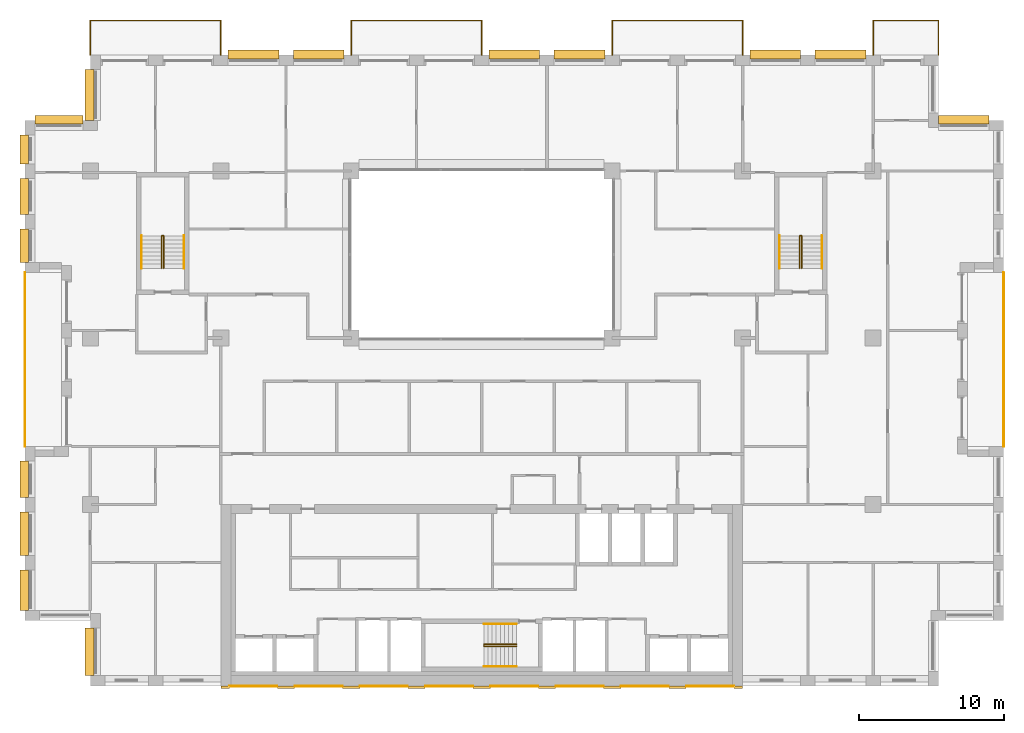
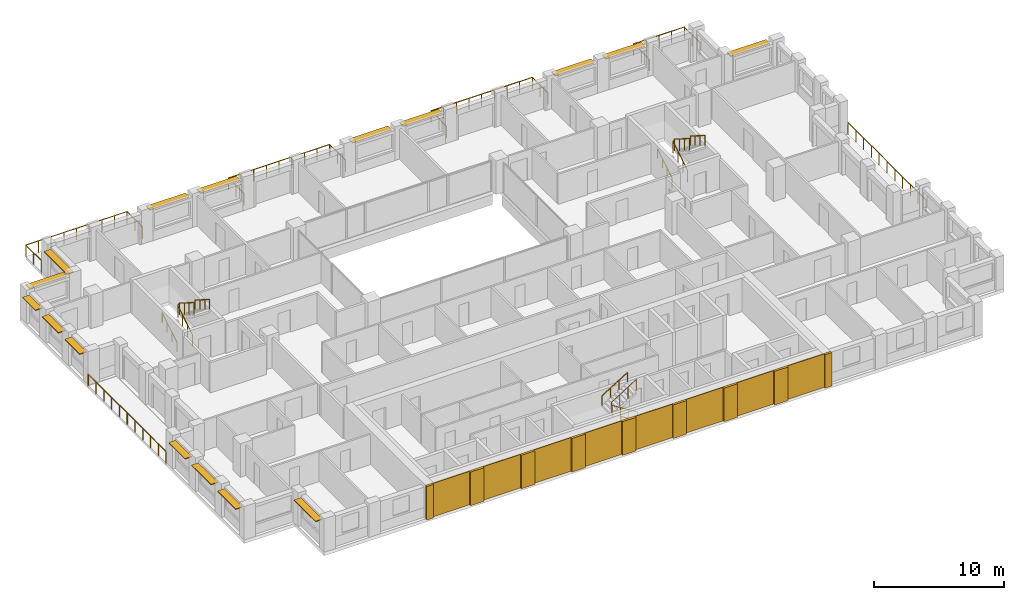
# One storey, part 15 of 15: 17 coverings, 16 shading devices, 15 railings.
"""IFC4 building model written with IfcOpenShell, lengths in metres."""

from ifc_helpers import new_model, si_unit, direction, frame, origin, origin_2d, place, context, subcontext, project, spatial, rectangle, circle, extrude, material, layer, layer_set, type_object, element, save


model = new_model("IFC4")

# Units and contexts
model_context = context("Model", 3, precision=1e-05, world=origin(), true_north=direction((0.0, 1.0)))
body_context = subcontext(model_context, "Body", "Model", "MODEL_VIEW")
ifc_project = project(units=[si_unit("LENGTHUNIT", "METRE"), si_unit("AREAUNIT", "SQUARE_METRE"), si_unit("VOLUMEUNIT", "CUBIC_METRE"), si_unit("PLANEANGLEUNIT", "RADIAN"), si_unit("MASSUNIT", "GRAM", prefix="KILO")], contexts=[model_context])

# Site, building, storey
site_placement = place(None, origin())
site = spatial("IfcSite", under=ifc_project, at=site_placement, CompositionType="ELEMENT")
building_placement = place(site_placement, origin())
building = spatial("IfcBuilding", under=site, at=building_placement, Name="Brigalow Station Residences", CompositionType="ELEMENT")
storey_placement = place(building_placement, frame((0.0, 0.0, 153.89990234375)))
storey = spatial("IfcBuildingStorey", under=building, at=storey_placement, Name="L44", CompositionType="ELEMENT", Elevation=153.89990234375)

# Railings
ifc_material_1 = material(Name="Stainless steel balustrade with laminated glass infill", Category="steel")
railing_type_1 = type_object("IfcRailingType", Name="BALCONY GUARD 1100", PredefinedType="GUARDRAIL", material=ifc_material_1)
railing_1_placement = place(storey_placement, frame((72.0, 16.5, -0.039794921875)))
element("IfcRailing", 1, at=railing_1_placement, inside=storey, type_object=railing_type_1, Name="L44/balcony-guard/1", PredefinedType="GUARDRAIL", context=body_context, shape_type="SweptSolid", body=[
    extrude(circle(Radius=0.02392578125, at=origin_2d()), frame((0.0, 0.0, 1.076171875), z_axis=(0.0, 1.0, 0.0), x_axis=(-1.0, 0.0, 0.0)), (0.0, 0.0, 1.0), 12.0),
    extrude(circle(Radius=0.02099609375, at=origin_2d()), origin(), (0.0, 0.0, 1.0), 1.052001953125),
    extrude(circle(Radius=0.02099609375, at=origin_2d()), frame((0.0, 1.199951171875, 0.0)), (0.0, 0.0, 1.0), 1.052001953125),
    extrude(circle(Radius=0.02099609375, at=origin_2d()), frame((0.0, 2.39990234375, 0.0)), (0.0, 0.0, 1.0), 1.052001953125),
    extrude(circle(Radius=0.02099609375, at=origin_2d()), frame((0.0, 3.60009765625, 0.0)), (0.0, 0.0, 1.0), 1.052001953125),
    extrude(circle(Radius=0.02099609375, at=origin_2d()), frame((0.0, 4.800048828125, 0.0)), (0.0, 0.0, 1.0), 1.052001953125),
    extrude(circle(Radius=0.02099609375, at=origin_2d()), frame((0.0, 6.0, 0.0)), (0.0, 0.0, 1.0), 1.052001953125),
    extrude(circle(Radius=0.02099609375, at=origin_2d()), frame((0.0, 7.199951171875, 0.0)), (0.0, 0.0, 1.0), 1.052001953125),
    extrude(circle(Radius=0.02099609375, at=origin_2d()), frame((0.0, 8.39990234375, 0.0)), (0.0, 0.0, 1.0), 1.052001953125),
    extrude(circle(Radius=0.02099609375, at=origin_2d()), frame((0.0, 9.60009765625, 0.0)), (0.0, 0.0, 1.0), 1.052001953125),
    extrude(circle(Radius=0.02099609375, at=origin_2d()), frame((0.0, 10.800048828125, 0.0)), (0.0, 0.0, 1.0), 1.052001953125),
    extrude(circle(Radius=0.02099609375, at=origin_2d()), frame((0.0, 12.0, 0.0)), (0.0, 0.0, 1.0), 1.052001953125),
])
railing_2_placement = place(storey_placement, frame((67.5, 43.5, -0.039794921875)))
element("IfcRailing", 2, at=railing_2_placement, inside=storey, type_object=railing_type_1, Name="L44/balcony-guard/2", PredefinedType="GUARDRAIL", context=body_context, shape_type="SweptSolid", body=[
    extrude(circle(Radius=0.02392578125, at=origin_2d()), frame((0.0, 0.0, 1.076171875), z_axis=(0.0, 1.0, 0.0), x_axis=(-1.0, 0.0, 0.0)), (0.0, 0.0, 1.0), 2.39990234375),
    extrude(circle(Radius=0.02392578125, at=origin_2d()), frame((0.0, 2.39990234375, 1.076171875), z_axis=(-1.0, 0.0, 0.0), x_axis=(0.0, -1.0, 0.0)), (0.0, 0.0, 1.0), 4.5),
    extrude(circle(Radius=0.02392578125, at=origin_2d()), frame((-4.5, 2.39990234375, 1.076171875), z_axis=(0.0, -1.0, 0.0), x_axis=(1.0, 0.0, 0.0)), (0.0, 0.0, 1.0), 2.39990234375),
    extrude(circle(Radius=0.02099609375, at=origin_2d()), origin(), (0.0, 0.0, 1.0), 1.052001953125),
    extrude(circle(Radius=0.02099609375, at=origin_2d()), frame((0.0, 1.199951171875, 0.0)), (0.0, 0.0, 1.0), 1.052001953125),
    extrude(circle(Radius=0.02099609375, at=origin_2d()), frame((0.0, 2.39990234375, 0.0)), (0.0, 0.0, 1.0), 1.052001953125),
    extrude(circle(Radius=0.02099609375, at=origin_2d()), frame((-1.125, 2.39990234375, 0.0)), (0.0, 0.0, 1.0), 1.052001953125),
    extrude(circle(Radius=0.02099609375, at=origin_2d()), frame((-2.25, 2.39990234375, 0.0)), (0.0, 0.0, 1.0), 1.052001953125),
    extrude(circle(Radius=0.02099609375, at=origin_2d()), frame((-3.375, 2.39990234375, 0.0)), (0.0, 0.0, 1.0), 1.052001953125),
    extrude(circle(Radius=0.02099609375, at=origin_2d()), frame((-4.5, 2.39990234375, 0.0)), (0.0, 0.0, 1.0), 1.052001953125),
    extrude(circle(Radius=0.02099609375, at=origin_2d()), frame((-4.5, 1.199951171875, 0.0)), (0.0, 0.0, 1.0), 1.052001953125),
    extrude(circle(Radius=0.02099609375, at=origin_2d()), frame((-4.5, 0.0, 0.0)), (0.0, 0.0, 1.0), 1.052001953125),
])
railing_3_placement = place(storey_placement, frame((54.0, 43.5, -0.039794921875)))
element("IfcRailing", 3, at=railing_3_placement, inside=storey, type_object=railing_type_1, Name="L44/balcony-guard/3", PredefinedType="GUARDRAIL", context=body_context, shape_type="SweptSolid", body=[
    extrude(circle(Radius=0.02392578125, at=origin_2d()), frame((0.0, 0.0, 1.076171875), z_axis=(0.0, 1.0, 0.0), x_axis=(-1.0, 0.0, 0.0)), (0.0, 0.0, 1.0), 2.39990234375),
    extrude(circle(Radius=0.02392578125, at=origin_2d()), frame((0.0, 2.39990234375, 1.076171875), z_axis=(-1.0, 0.0, 0.0), x_axis=(0.0, -1.0, 0.0)), (0.0, 0.0, 1.0), 9.0),
    extrude(circle(Radius=0.02392578125, at=origin_2d()), frame((-9.0, 2.39990234375, 1.076171875), z_axis=(0.0, -1.0, 0.0), x_axis=(1.0, 0.0, 0.0)), (0.0, 0.0, 1.0), 2.39990234375),
    extrude(circle(Radius=0.02099609375, at=origin_2d()), origin(), (0.0, 0.0, 1.0), 1.052001953125),
    extrude(circle(Radius=0.02099609375, at=origin_2d()), frame((0.0, 1.199951171875, 0.0)), (0.0, 0.0, 1.0), 1.052001953125),
    extrude(circle(Radius=0.02099609375, at=origin_2d()), frame((0.0, 2.39990234375, 0.0)), (0.0, 0.0, 1.0), 1.052001953125),
    extrude(circle(Radius=0.02099609375, at=origin_2d()), frame((-1.125, 2.39990234375, 0.0)), (0.0, 0.0, 1.0), 1.052001953125),
    extrude(circle(Radius=0.02099609375, at=origin_2d()), frame((-2.25, 2.39990234375, 0.0)), (0.0, 0.0, 1.0), 1.052001953125),
    extrude(circle(Radius=0.02099609375, at=origin_2d()), frame((-3.375, 2.39990234375, 0.0)), (0.0, 0.0, 1.0), 1.052001953125),
    extrude(circle(Radius=0.02099609375, at=origin_2d()), frame((-4.5, 2.39990234375, 0.0)), (0.0, 0.0, 1.0), 1.052001953125),
    extrude(circle(Radius=0.02099609375, at=origin_2d()), frame((-5.625, 2.39990234375, 0.0)), (0.0, 0.0, 1.0), 1.052001953125),
    extrude(circle(Radius=0.02099609375, at=origin_2d()), frame((-6.75, 2.39990234375, 0.0)), (0.0, 0.0, 1.0), 1.052001953125),
    extrude(circle(Radius=0.02099609375, at=origin_2d()), frame((-7.875, 2.39990234375, 0.0)), (0.0, 0.0, 1.0), 1.052001953125),
    extrude(circle(Radius=0.02099609375, at=origin_2d()), frame((-9.0, 2.39990234375, 0.0)), (0.0, 0.0, 1.0), 1.052001953125),
    extrude(circle(Radius=0.02099609375, at=origin_2d()), frame((-9.0, 1.199951171875, 0.0)), (0.0, 0.0, 1.0), 1.052001953125),
    extrude(circle(Radius=0.02099609375, at=origin_2d()), frame((-9.0, 0.0, 0.0)), (0.0, 0.0, 1.0), 1.052001953125),
])
railing_4_placement = place(storey_placement, frame((36.0, 43.5, -0.039794921875)))
element("IfcRailing", 4, at=railing_4_placement, inside=storey, type_object=railing_type_1, Name="L44/balcony-guard/4", PredefinedType="GUARDRAIL", context=body_context, shape_type="SweptSolid", body=[
    extrude(circle(Radius=0.02392578125, at=origin_2d()), frame((0.0, 0.0, 1.076171875), z_axis=(0.0, 1.0, 0.0), x_axis=(-1.0, 0.0, 0.0)), (0.0, 0.0, 1.0), 2.39990234375),
    extrude(circle(Radius=0.02392578125, at=origin_2d()), frame((0.0, 2.39990234375, 1.076171875), z_axis=(-1.0, 0.0, 0.0), x_axis=(0.0, -1.0, 0.0)), (0.0, 0.0, 1.0), 9.0),
    extrude(circle(Radius=0.02392578125, at=origin_2d()), frame((-9.0, 2.39990234375, 1.076171875), z_axis=(0.0, -1.0, 0.0), x_axis=(1.0, 0.0, 0.0)), (0.0, 0.0, 1.0), 2.39990234375),
    extrude(circle(Radius=0.02099609375, at=origin_2d()), origin(), (0.0, 0.0, 1.0), 1.052001953125),
    extrude(circle(Radius=0.02099609375, at=origin_2d()), frame((0.0, 1.199951171875, 0.0)), (0.0, 0.0, 1.0), 1.052001953125),
    extrude(circle(Radius=0.02099609375, at=origin_2d()), frame((0.0, 2.39990234375, 0.0)), (0.0, 0.0, 1.0), 1.052001953125),
    extrude(circle(Radius=0.02099609375, at=origin_2d()), frame((-1.125, 2.39990234375, 0.0)), (0.0, 0.0, 1.0), 1.052001953125),
    extrude(circle(Radius=0.02099609375, at=origin_2d()), frame((-2.25, 2.39990234375, 0.0)), (0.0, 0.0, 1.0), 1.052001953125),
    extrude(circle(Radius=0.02099609375, at=origin_2d()), frame((-3.375, 2.39990234375, 0.0)), (0.0, 0.0, 1.0), 1.052001953125),
    extrude(circle(Radius=0.02099609375, at=origin_2d()), frame((-4.5, 2.39990234375, 0.0)), (0.0, 0.0, 1.0), 1.052001953125),
    extrude(circle(Radius=0.02099609375, at=origin_2d()), frame((-5.625, 2.39990234375, 0.0)), (0.0, 0.0, 1.0), 1.052001953125),
    extrude(circle(Radius=0.02099609375, at=origin_2d()), frame((-6.75, 2.39990234375, 0.0)), (0.0, 0.0, 1.0), 1.052001953125),
    extrude(circle(Radius=0.02099609375, at=origin_2d()), frame((-7.875, 2.39990234375, 0.0)), (0.0, 0.0, 1.0), 1.052001953125),
    extrude(circle(Radius=0.02099609375, at=origin_2d()), frame((-9.0, 2.39990234375, 0.0)), (0.0, 0.0, 1.0), 1.052001953125),
    extrude(circle(Radius=0.02099609375, at=origin_2d()), frame((-9.0, 1.199951171875, 0.0)), (0.0, 0.0, 1.0), 1.052001953125),
    extrude(circle(Radius=0.02099609375, at=origin_2d()), frame((-9.0, 0.0, 0.0)), (0.0, 0.0, 1.0), 1.052001953125),
])
railing_5_placement = place(storey_placement, frame((18.0, 43.5, -0.039794921875)))
element("IfcRailing", 5, at=railing_5_placement, inside=storey, type_object=railing_type_1, Name="L44/balcony-guard/5", PredefinedType="GUARDRAIL", context=body_context, shape_type="SweptSolid", body=[
    extrude(circle(Radius=0.02392578125, at=origin_2d()), frame((0.0, 0.0, 1.076171875), z_axis=(0.0, 1.0, 0.0), x_axis=(-1.0, 0.0, 0.0)), (0.0, 0.0, 1.0), 2.39990234375),
    extrude(circle(Radius=0.02392578125, at=origin_2d()), frame((0.0, 2.39990234375, 1.076171875), z_axis=(-1.0, 0.0, 0.0), x_axis=(0.0, -1.0, 0.0)), (0.0, 0.0, 1.0), 9.0),
    extrude(circle(Radius=0.02392578125, at=origin_2d()), frame((-9.0, 2.39990234375, 1.076171875), z_axis=(0.0, -1.0, 0.0), x_axis=(1.0, 0.0, 0.0)), (0.0, 0.0, 1.0), 2.39990234375),
    extrude(circle(Radius=0.02099609375, at=origin_2d()), origin(), (0.0, 0.0, 1.0), 1.052001953125),
    extrude(circle(Radius=0.02099609375, at=origin_2d()), frame((0.0, 1.199951171875, 0.0)), (0.0, 0.0, 1.0), 1.052001953125),
    extrude(circle(Radius=0.02099609375, at=origin_2d()), frame((0.0, 2.39990234375, 0.0)), (0.0, 0.0, 1.0), 1.052001953125),
    extrude(circle(Radius=0.02099609375, at=origin_2d()), frame((-1.125, 2.39990234375, 0.0)), (0.0, 0.0, 1.0), 1.052001953125),
    extrude(circle(Radius=0.02099609375, at=origin_2d()), frame((-2.25, 2.39990234375, 0.0)), (0.0, 0.0, 1.0), 1.052001953125),
    extrude(circle(Radius=0.02099609375, at=origin_2d()), frame((-3.375, 2.39990234375, 0.0)), (0.0, 0.0, 1.0), 1.052001953125),
    extrude(circle(Radius=0.02099609375, at=origin_2d()), frame((-4.5, 2.39990234375, 0.0)), (0.0, 0.0, 1.0), 1.052001953125),
    extrude(circle(Radius=0.02099609375, at=origin_2d()), frame((-5.625, 2.39990234375, 0.0)), (0.0, 0.0, 1.0), 1.052001953125),
    extrude(circle(Radius=0.02099609375, at=origin_2d()), frame((-6.75, 2.39990234375, 0.0)), (0.0, 0.0, 1.0), 1.052001953125),
    extrude(circle(Radius=0.02099609375, at=origin_2d()), frame((-7.875, 2.39990234375, 0.0)), (0.0, 0.0, 1.0), 1.052001953125),
    extrude(circle(Radius=0.02099609375, at=origin_2d()), frame((-9.0, 2.39990234375, 0.0)), (0.0, 0.0, 1.0), 1.052001953125),
    extrude(circle(Radius=0.02099609375, at=origin_2d()), frame((-9.0, 1.199951171875, 0.0)), (0.0, 0.0, 1.0), 1.052001953125),
    extrude(circle(Radius=0.02099609375, at=origin_2d()), frame((-9.0, 0.0, 0.0)), (0.0, 0.0, 1.0), 1.052001953125),
])
railing_6_placement = place(storey_placement, frame((4.5, 28.5, -0.039794921875)))
element("IfcRailing", 6, at=railing_6_placement, inside=storey, type_object=railing_type_1, Name="L44/balcony-guard/6", PredefinedType="GUARDRAIL", context=body_context, shape_type="SweptSolid", body=[
    extrude(circle(Radius=0.02392578125, at=origin_2d()), frame((0.0, 0.0, 1.076171875), z_axis=(0.0, -1.0, 0.0), x_axis=(1.0, 0.0, 0.0)), (0.0, 0.0, 1.0), 12.0),
    extrude(circle(Radius=0.02099609375, at=origin_2d()), origin(), (0.0, 0.0, 1.0), 1.052001953125),
    extrude(circle(Radius=0.02099609375, at=origin_2d()), frame((0.0, -1.199951171875, 0.0)), (0.0, 0.0, 1.0), 1.052001953125),
    extrude(circle(Radius=0.02099609375, at=origin_2d()), frame((0.0, -2.39990234375, 0.0)), (0.0, 0.0, 1.0), 1.052001953125),
    extrude(circle(Radius=0.02099609375, at=origin_2d()), frame((0.0, -3.60009765625, 0.0)), (0.0, 0.0, 1.0), 1.052001953125),
    extrude(circle(Radius=0.02099609375, at=origin_2d()), frame((0.0, -4.800048828125, 0.0)), (0.0, 0.0, 1.0), 1.052001953125),
    extrude(circle(Radius=0.02099609375, at=origin_2d()), frame((0.0, -6.0, 0.0)), (0.0, 0.0, 1.0), 1.052001953125),
    extrude(circle(Radius=0.02099609375, at=origin_2d()), frame((0.0, -7.199951171875, 0.0)), (0.0, 0.0, 1.0), 1.052001953125),
    extrude(circle(Radius=0.02099609375, at=origin_2d()), frame((0.0, -8.39990234375, 0.0)), (0.0, 0.0, 1.0), 1.052001953125),
    extrude(circle(Radius=0.02099609375, at=origin_2d()), frame((0.0, -9.60009765625, 0.0)), (0.0, 0.0, 1.0), 1.052001953125),
    extrude(circle(Radius=0.02099609375, at=origin_2d()), frame((0.0, -10.800048828125, 0.0)), (0.0, 0.0, 1.0), 1.052001953125),
    extrude(circle(Radius=0.02099609375, at=origin_2d()), frame((0.0, -12.0, 0.0)), (0.0, 0.0, 1.0), 1.052001953125),
])

# Coverings
ifc_material_2 = material(Name="Clay brick masonry", Category="masonry")
ifc_layer_1 = layer(ifc_material_2, 0.06005859375)
ifc_layer_set_1 = layer_set([ifc_layer_1], Name="BRICK PANEL FACING 60")
covering_type_1 = type_object("IfcCoveringType", Name="BRICK PANEL FACING 60", PredefinedType="CLADDING", material=ifc_layer_set_1)
for number, where, z_axis, x_axis, name in (
    (7, (20.25, -0.030029296875, 0.000244140625), (0.0, 0.0, 1.0), (1.0, 0.0, 0.0), "L44/rear-facing/panel-1"),
    (8, (24.75, -0.030029296875, 0.000244140625), (0.0, 0.0, 1.0), (1.0, 0.0, 0.0), "L44/rear-facing/panel-2"),
    (9, (29.25, -0.030029296875, 0.000244140625), (0.0, 0.0, 1.0), (1.0, 0.0, 0.0), "L44/rear-facing/panel-3"),
    (10, (33.75, -0.030029296875, 0.000244140625), (0.0, 0.0, 1.0), (1.0, 0.0, 0.0), "L44/rear-facing/panel-4"),
    (11, (38.25, -0.030029296875, 0.000244140625), (0.0, 0.0, 1.0), (1.0, 0.0, 0.0), "L44/rear-facing/panel-5"),
    (12, (42.75, -0.030029296875, 0.000244140625), (0.0, 0.0, 1.0), (1.0, 0.0, 0.0), "L44/rear-facing/panel-6"),
    (13, (47.25, -0.030029296875, 0.000244140625), (0.0, 0.0, 1.0), (1.0, 0.0, 0.0), "L44/rear-facing/panel-7"),
    (14, (51.75, -0.030029296875, 0.000244140625), (0.0, 0.0, 1.0), (1.0, 0.0, 0.0), "L44/rear-facing/panel-8"),
):
    element("IfcCovering", number, at=place(storey_placement, frame(where, z_axis=z_axis, x_axis=x_axis)), inside=storey, type_object=covering_type_1, Name=name, PredefinedType="CLADDING", context=body_context, shape_type="SweptSolid", body=[
        extrude(rectangle(XDim=3.300048828125, YDim=0.06005859375, at=origin_2d()), origin(), (0.0, 0.0, 1.0), 3.14990234375),
    ])
ifc_material_3 = material(Name="Clay brick masonry", Category="masonry")
ifc_layer_2 = layer(ifc_material_3, 0.199951171875)
ifc_layer_set_2 = layer_set([ifc_layer_2], Name="BRICK PIER FACING 200")
covering_type_2 = type_object("IfcCoveringType", Name="BRICK PIER FACING 200", PredefinedType="CLADDING", material=ifc_layer_set_2)
covering_1_placement = place(storey_placement, frame((18.300048828125, -0.10009765625, 0.000244140625), z_axis=(0.0, 0.0, 1.0), x_axis=(1.0, 0.0, 0.0)))
element("IfcCovering", 15, at=covering_1_placement, inside=storey, type_object=covering_type_2, Name="L44/rear-facing/pier-1", PredefinedType="CLADDING", context=body_context, shape_type="SweptSolid", body=[
    extrude(rectangle(XDim=0.60009765625, YDim=0.199951171875, at=origin_2d()), origin(), (0.0, 0.0, 1.0), 3.14990234375),
])
for number, where, z_axis, x_axis, name in (
    (16, (22.5, -0.10009765625, 0.000244140625), (0.0, 0.0, 1.0), (1.0, 0.0, 0.0), "L44/rear-facing/pier-2"),
    (17, (27.0, -0.10009765625, 0.000244140625), (0.0, 0.0, 1.0), (1.0, 0.0, 0.0), "L44/rear-facing/pier-3"),
    (18, (31.5, -0.10009765625, 0.000244140625), (0.0, 0.0, 1.0), (1.0, 0.0, 0.0), "L44/rear-facing/pier-4"),
    (19, (36.0, -0.10009765625, 0.000244140625), (0.0, 0.0, 1.0), (1.0, 0.0, 0.0), "L44/rear-facing/pier-5"),
    (20, (40.5, -0.10009765625, 0.000244140625), (0.0, 0.0, 1.0), (1.0, 0.0, 0.0), "L44/rear-facing/pier-6"),
    (21, (45.0, -0.10009765625, 0.000244140625), (0.0, 0.0, 1.0), (1.0, 0.0, 0.0), "L44/rear-facing/pier-7"),
    (22, (49.5, -0.10009765625, 0.000244140625), (0.0, 0.0, 1.0), (1.0, 0.0, 0.0), "L44/rear-facing/pier-8"),
):
    element("IfcCovering", number, at=place(storey_placement, frame(where, z_axis=z_axis, x_axis=x_axis)), inside=storey, type_object=covering_type_2, Name=name, PredefinedType="CLADDING", context=body_context, shape_type="SweptSolid", body=[
        extrude(rectangle(XDim=1.199951171875, YDim=0.199951171875, at=origin_2d()), origin(), (0.0, 0.0, 1.0), 3.14990234375),
    ])
covering_2_placement = place(storey_placement, frame((53.699951171875, -0.10009765625, 0.000244140625), z_axis=(0.0, 0.0, 1.0), x_axis=(1.0, 0.0, 0.0)))
element("IfcCovering", 23, at=covering_2_placement, inside=storey, type_object=covering_type_2, Name="L44/rear-facing/pier-9", PredefinedType="CLADDING", context=body_context, shape_type="SweptSolid", body=[
    extrude(rectangle(XDim=0.60009765625, YDim=0.199951171875, at=origin_2d()), origin(), (0.0, 0.0, 1.0), 3.14990234375),
])

# Railings
ifc_material_4 = material(Name="Stainless steel balustrade", Category="steel")
railing_type_2 = type_object("IfcRailingType", Name="STAIR GUARD 1100", PredefinedType="GUARDRAIL", material=ifc_material_4)
railing_7_placement = place(storey_placement, frame((38.39990234375, 2.72998046875, 0.175048828125)))
element("IfcRailing", 24, at=railing_7_placement, inside=storey, type_object=railing_type_2, Name="GUARD GR-2", PredefinedType="GUARDRAIL", context=body_context, shape_type="SweptSolid", body=[
    extrude(circle(Radius=0.02392578125, at=origin_2d()), frame((0.0, 0.0, 1.076171875), z_axis=(-0.847972341737, 0.0, 0.530040477369), x_axis=(0.0, -1.0, 0.0)), (0.0, 0.0, 1.0), 2.6416015625),
    extrude(circle(Radius=0.02392578125, at=origin_2d()), frame((-2.239990234375, 0.0, 2.47607421875), z_axis=(0.0, 0.62549206879, 0.780230524833), x_axis=(-1.0, 0.0, 0.0)), (0.0, 0.0, 1.0), 0.22412109375),
    extrude(circle(Radius=0.02392578125, at=origin_2d()), frame((-2.239990234375, 0.14013671875, 2.65087890625), z_axis=(0.847972341737, 0.0, 0.530040477369), x_axis=(0.0, 1.0, 0.0)), (0.0, 0.0, 1.0), 2.6416015625),
    extrude(circle(Radius=0.02099609375, at=origin_2d()), origin(), (0.0, 0.0, 1.0), 1.052001953125),
    extrude(circle(Radius=0.02099609375, at=origin_2d()), frame((-0.74658203125, 0.0, 0.466796875)), (0.0, 0.0, 1.0), 1.052001953125),
    extrude(circle(Radius=0.02099609375, at=origin_2d()), frame((-1.493408203125, 0.0, 0.933349609375)), (0.0, 0.0, 1.0), 1.052001953125),
    extrude(circle(Radius=0.02099609375, at=origin_2d()), frame((-2.239990234375, 0.0, 1.400146484375)), (0.0, 0.0, 1.0), 1.052001953125),
    extrude(circle(Radius=0.02099609375, at=origin_2d()), frame((-2.239990234375, 0.14013671875, 1.574951171875)), (0.0, 0.0, 1.0), 1.052001953125),
    extrude(circle(Radius=0.02099609375, at=origin_2d()), frame((-1.493408203125, 0.14013671875, 2.041748046875)), (0.0, 0.0, 1.0), 1.052001953125),
    extrude(circle(Radius=0.02099609375, at=origin_2d()), frame((-0.74658203125, 0.14013671875, 2.50830078125)), (0.0, 0.0, 1.0), 1.052001953125),
    extrude(circle(Radius=0.02099609375, at=origin_2d()), frame((0.0, 0.14013671875, 2.97509765625)), (0.0, 0.0, 1.0), 1.052001953125),
])
for number, where, name in (
    (25, (13.929931640625, 28.800048828125, 0.175048828125), "GUARD GR-1"),
    (26, (57.929931640625, 28.800048828125, 0.175048828125), "GUARD GR-3"),
):
    element("IfcRailing", number, at=place(storey_placement, frame(where)), inside=storey, type_object=railing_type_2, Name=name, PredefinedType="GUARDRAIL", context=body_context, shape_type="SweptSolid", body=[
        extrude(circle(Radius=0.02392578125, at=origin_2d()), frame((0.0, 0.0, 1.076171875), z_axis=(0.0, 0.847972341737, 0.530040477369), x_axis=(-1.0, 0.0, 0.0)), (0.0, 0.0, 1.0), 2.6416015625),
        extrude(circle(Radius=0.02392578125, at=origin_2d()), frame((0.0, 2.239990234375, 2.47607421875), z_axis=(0.62549206879, 0.0, 0.780230524833), x_axis=(0.0, 1.0, 0.0)), (0.0, 0.0, 1.0), 0.22412109375),
        extrude(circle(Radius=0.02392578125, at=origin_2d()), frame((0.14013671875, 2.239990234375, 2.65087890625), z_axis=(0.0, -0.847972341737, 0.530040477369), x_axis=(1.0, 0.0, 0.0)), (0.0, 0.0, 1.0), 2.6416015625),
        extrude(circle(Radius=0.02099609375, at=origin_2d()), origin(), (0.0, 0.0, 1.0), 1.052001953125),
        extrude(circle(Radius=0.02099609375, at=origin_2d()), frame((0.0, 0.74658203125, 0.466796875)), (0.0, 0.0, 1.0), 1.052001953125),
        extrude(circle(Radius=0.02099609375, at=origin_2d()), frame((0.0, 1.493408203125, 0.933349609375)), (0.0, 0.0, 1.0), 1.052001953125),
        extrude(circle(Radius=0.02099609375, at=origin_2d()), frame((0.0, 2.239990234375, 1.400146484375)), (0.0, 0.0, 1.0), 1.052001953125),
        extrude(circle(Radius=0.02099609375, at=origin_2d()), frame((0.14013671875, 2.239990234375, 1.574951171875)), (0.0, 0.0, 1.0), 1.052001953125),
        extrude(circle(Radius=0.02099609375, at=origin_2d()), frame((0.14013671875, 1.493408203125, 2.041748046875)), (0.0, 0.0, 1.0), 1.052001953125),
        extrude(circle(Radius=0.02099609375, at=origin_2d()), frame((0.14013671875, 0.74658203125, 2.50830078125)), (0.0, 0.0, 1.0), 1.052001953125),
        extrude(circle(Radius=0.02099609375, at=origin_2d()), frame((0.14013671875, 0.0, 2.97509765625)), (0.0, 0.0, 1.0), 1.052001953125),
    ])
ifc_material_5 = material(Name="Stainless steel handrail", Category="steel")
railing_type_3 = type_object("IfcRailingType", Name="STAIR HANDRAIL 900", PredefinedType="HANDRAIL", material=ifc_material_5)
railing_8_placement = place(storey_placement, frame((38.39990234375, 1.340087890625, 0.175048828125)))
element("IfcRailing", 27, at=railing_8_placement, inside=storey, type_object=railing_type_3, Name="HANDRAIL HR-21", PredefinedType="HANDRAIL", context=body_context, shape_type="SweptSolid", body=[
    extrude(circle(Radius=0.02392578125, at=origin_2d()), frame((0.0, 0.0, 0.8759765625), z_axis=(-0.847972341737, 0.0, 0.530040477369), x_axis=(0.0, -1.0, 0.0)), (0.0, 0.0, 1.0), 2.6416015625),
    extrude(circle(Radius=0.02099609375, at=origin_2d()), origin(), (0.0, 0.0, 1.0), 0.851806640625),
    extrude(circle(Radius=0.02099609375, at=origin_2d()), frame((-0.74658203125, 0.0, 0.466796875)), (0.0, 0.0, 1.0), 0.851806640625),
    extrude(circle(Radius=0.02099609375, at=origin_2d()), frame((-1.493408203125, 0.0, 0.933349609375)), (0.0, 0.0, 1.0), 0.851806640625),
    extrude(circle(Radius=0.02099609375, at=origin_2d()), frame((-2.239990234375, 0.0, 1.400146484375)), (0.0, 0.0, 1.0), 0.851806640625),
])
railing_9_placement = place(storey_placement, frame((36.159912109375, 4.260009765625, 1.75)))
element("IfcRailing", 28, at=railing_9_placement, inside=storey, type_object=railing_type_3, Name="HANDRAIL HR-22", PredefinedType="HANDRAIL", context=body_context, shape_type="SweptSolid", body=[
    extrude(circle(Radius=0.02392578125, at=origin_2d()), frame((0.0, 0.0, 0.8759765625), z_axis=(0.847972341737, 0.0, 0.530040477369), x_axis=(0.0, 1.0, 0.0)), (0.0, 0.0, 1.0), 2.6416015625),
    extrude(circle(Radius=0.02099609375, at=origin_2d()), origin(), (0.0, 0.0, 1.0), 0.851806640625),
    extrude(circle(Radius=0.02099609375, at=origin_2d()), frame((0.74658203125, 0.0, 0.466796875)), (0.0, 0.0, 1.0), 0.851806640625),
    extrude(circle(Radius=0.02099609375, at=origin_2d()), frame((1.493408203125, 0.0, 0.933349609375)), (0.0, 0.0, 1.0), 0.851806640625),
    extrude(circle(Radius=0.02099609375, at=origin_2d()), frame((2.239990234375, 0.0, 1.400146484375)), (0.0, 0.0, 1.0), 0.851806640625),
])
railing_10_placement = place(storey_placement, frame((12.5400390625, 28.800048828125, 0.175048828125)))
element("IfcRailing", 29, at=railing_10_placement, inside=storey, type_object=railing_type_3, Name="HANDRAIL HR-11", PredefinedType="HANDRAIL", context=body_context, shape_type="SweptSolid", body=[
    extrude(circle(Radius=0.02392578125, at=origin_2d()), frame((0.0, 0.0, 0.8759765625), z_axis=(0.0, 0.847972341737, 0.530040477369), x_axis=(-1.0, 0.0, 0.0)), (0.0, 0.0, 1.0), 2.6416015625),
    extrude(circle(Radius=0.02099609375, at=origin_2d()), origin(), (0.0, 0.0, 1.0), 0.851806640625),
    extrude(circle(Radius=0.02099609375, at=origin_2d()), frame((0.0, 0.74658203125, 0.466796875)), (0.0, 0.0, 1.0), 0.851806640625),
    extrude(circle(Radius=0.02099609375, at=origin_2d()), frame((0.0, 1.493408203125, 0.933349609375)), (0.0, 0.0, 1.0), 0.851806640625),
    extrude(circle(Radius=0.02099609375, at=origin_2d()), frame((0.0, 2.239990234375, 1.400146484375)), (0.0, 0.0, 1.0), 0.851806640625),
])
railing_11_placement = place(storey_placement, frame((15.4599609375, 31.0400390625, 1.75)))
element("IfcRailing", 30, at=railing_11_placement, inside=storey, type_object=railing_type_3, Name="HANDRAIL HR-12", PredefinedType="HANDRAIL", context=body_context, shape_type="SweptSolid", body=[
    extrude(circle(Radius=0.02392578125, at=origin_2d()), frame((0.0, 0.0, 0.8759765625), z_axis=(0.0, -0.847972341737, 0.530040477369), x_axis=(1.0, 0.0, 0.0)), (0.0, 0.0, 1.0), 2.6416015625),
    extrude(circle(Radius=0.02099609375, at=origin_2d()), origin(), (0.0, 0.0, 1.0), 0.851806640625),
    extrude(circle(Radius=0.02099609375, at=origin_2d()), frame((0.0, -0.74658203125, 0.466796875)), (0.0, 0.0, 1.0), 0.851806640625),
    extrude(circle(Radius=0.02099609375, at=origin_2d()), frame((0.0, -1.493408203125, 0.933349609375)), (0.0, 0.0, 1.0), 0.851806640625),
    extrude(circle(Radius=0.02099609375, at=origin_2d()), frame((0.0, -2.239990234375, 1.400146484375)), (0.0, 0.0, 1.0), 0.851806640625),
])
railing_12_placement = place(storey_placement, frame((56.5400390625, 28.800048828125, 0.175048828125)))
element("IfcRailing", 31, at=railing_12_placement, inside=storey, type_object=railing_type_3, Name="HANDRAIL HR-31", PredefinedType="HANDRAIL", context=body_context, shape_type="SweptSolid", body=[
    extrude(circle(Radius=0.02392578125, at=origin_2d()), frame((0.0, 0.0, 0.8759765625), z_axis=(0.0, 0.847972341737, 0.530040477369), x_axis=(-1.0, 0.0, 0.0)), (0.0, 0.0, 1.0), 2.6416015625),
    extrude(circle(Radius=0.02099609375, at=origin_2d()), origin(), (0.0, 0.0, 1.0), 0.851806640625),
    extrude(circle(Radius=0.02099609375, at=origin_2d()), frame((0.0, 0.74658203125, 0.466796875)), (0.0, 0.0, 1.0), 0.851806640625),
    extrude(circle(Radius=0.02099609375, at=origin_2d()), frame((0.0, 1.493408203125, 0.933349609375)), (0.0, 0.0, 1.0), 0.851806640625),
    extrude(circle(Radius=0.02099609375, at=origin_2d()), frame((0.0, 2.239990234375, 1.400146484375)), (0.0, 0.0, 1.0), 0.851806640625),
])
railing_13_placement = place(storey_placement, frame((59.4599609375, 31.0400390625, 1.75)))
element("IfcRailing", 32, at=railing_13_placement, inside=storey, type_object=railing_type_3, Name="HANDRAIL HR-32", PredefinedType="HANDRAIL", context=body_context, shape_type="SweptSolid", body=[
    extrude(circle(Radius=0.02392578125, at=origin_2d()), frame((0.0, 0.0, 0.8759765625), z_axis=(0.0, -0.847972341737, 0.530040477369), x_axis=(1.0, 0.0, 0.0)), (0.0, 0.0, 1.0), 2.6416015625),
    extrude(circle(Radius=0.02099609375, at=origin_2d()), origin(), (0.0, 0.0, 1.0), 0.851806640625),
    extrude(circle(Radius=0.02099609375, at=origin_2d()), frame((0.0, -0.74658203125, 0.466796875)), (0.0, 0.0, 1.0), 0.851806640625),
    extrude(circle(Radius=0.02099609375, at=origin_2d()), frame((0.0, -1.493408203125, 0.933349609375)), (0.0, 0.0, 1.0), 0.851806640625),
    extrude(circle(Radius=0.02099609375, at=origin_2d()), frame((0.0, -2.239990234375, 1.400146484375)), (0.0, 0.0, 1.0), 0.851806640625),
])

# Shading devices
ifc_material_6 = material(Name="Powder-coated extruded aluminium blade", Category="aluminium")
ifc_layer_3 = layer(ifc_material_6, 0.080078125)
ifc_layer_set_3 = layer_set([ifc_layer_3], Name="SUNSHADE BLADE 600x80")
shading_device_type = type_object("IfcShadingDeviceType", Name="SUNSHADE BLADE 600x80", PredefinedType="JALOUSIE", material=ifc_layer_set_3)
for number, where, z_axis, x_axis, name in (
    (33, (69.25, 39.050048828125, 2.550048828125), (0.0, 0.0, 1.0), (-1.0, 0.0, 0.0), "L44/blade/W-L44-20"),
    (34, (60.75, 43.550048828125, 2.550048828125), (0.0, 0.0, 1.0), (-1.0, 0.0, 0.0), "L44/blade/W-L44-23"),
    (35, (56.25, 43.550048828125, 2.550048828125), (0.0, 0.0, 1.0), (-1.0, 0.0, 0.0), "L44/blade/W-L44-24"),
    (36, (42.75, 43.550048828125, 2.550048828125), (0.0, 0.0, 1.0), (-1.0, 0.0, 0.0), "L44/blade/W-L44-27"),
    (37, (38.25, 43.550048828125, 2.550048828125), (0.0, 0.0, 1.0), (-1.0, 0.0, 0.0), "L44/blade/W-L44-28"),
    (38, (24.75, 43.550048828125, 2.550048828125), (0.0, 0.0, 1.0), (-1.0, 0.0, 0.0), "L44/blade/W-L44-31"),
    (39, (20.25, 43.550048828125, 2.550048828125), (0.0, 0.0, 1.0), (-1.0, 0.0, 0.0), "L44/blade/W-L44-32"),
    (40, (8.949951171875, 40.75, 2.550048828125), (0.0, 0.0, 1.0), (0.0, -1.0, 0.0), "L44/blade/W-L44-35"),
):
    element("IfcShadingDevice", number, at=place(storey_placement, frame(where, z_axis=z_axis, x_axis=x_axis)), inside=storey, type_object=shading_device_type, Name=name, PredefinedType="JALOUSIE", context=body_context, shape_type="SweptSolid", body=[
        extrude(rectangle(XDim=3.5, YDim=0.60009765625, at=origin_2d()), origin(), (0.0, 0.0, 1.0), 0.080078125),
    ])
shading_device_1_placement = place(storey_placement, frame((6.85009765625, 39.050048828125, 2.550048828125), z_axis=(0.0, 0.0, 1.0), x_axis=(-1.0, 0.0, 0.0)))
element("IfcShadingDevice", 41, at=shading_device_1_placement, inside=storey, type_object=shading_device_type, Name="L44/blade/W-L44-36", PredefinedType="JALOUSIE", context=body_context, shape_type="SweptSolid", body=[
    extrude(rectangle(XDim=3.300048828125, YDim=0.60009765625, at=origin_2d()), origin(), (0.0, 0.0, 1.0), 0.080078125),
])
shading_device_2_placement = place(storey_placement, frame((4.449951171875, 37.0, 2.550048828125), z_axis=(0.0, 0.0, 1.0), x_axis=(0.0, -1.0, 0.0)))
element("IfcShadingDevice", 42, at=shading_device_2_placement, inside=storey, type_object=shading_device_type, Name="L44/blade/W-L44-37", PredefinedType="JALOUSIE", context=body_context, shape_type="SweptSolid", body=[
    extrude(rectangle(XDim=2.0, YDim=0.60009765625, at=origin_2d()), origin(), (0.0, 0.0, 1.0), 0.080078125),
])
shading_device_3_placement = place(storey_placement, frame((4.449951171875, 33.75, 2.550048828125), z_axis=(0.0, 0.0, 1.0), x_axis=(0.0, -1.0, 0.0)))
element("IfcShadingDevice", 43, at=shading_device_3_placement, inside=storey, type_object=shading_device_type, Name="L44/blade/W-L44-38", PredefinedType="JALOUSIE", context=body_context, shape_type="SweptSolid", body=[
    extrude(rectangle(XDim=2.5, YDim=0.60009765625, at=origin_2d()), origin(), (0.0, 0.0, 1.0), 0.080078125),
])
shading_device_4_placement = place(storey_placement, frame((4.449951171875, 30.35009765625, 2.550048828125), z_axis=(0.0, 0.0, 1.0), x_axis=(0.0, -1.0, 0.0)))
element("IfcShadingDevice", 44, at=shading_device_4_placement, inside=storey, type_object=shading_device_type, Name="L44/blade/W-L44-39", PredefinedType="JALOUSIE", context=body_context, shape_type="SweptSolid", body=[
    extrude(rectangle(XDim=2.300048828125, YDim=0.60009765625, at=origin_2d()), origin(), (0.0, 0.0, 1.0), 0.080078125),
])
shading_device_5_placement = place(storey_placement, frame((4.449951171875, 14.25, 2.550048828125), z_axis=(0.0, 0.0, 1.0), x_axis=(0.0, -1.0, 0.0)))
element("IfcShadingDevice", 45, at=shading_device_5_placement, inside=storey, type_object=shading_device_type, Name="L44/blade/W-L44-45", PredefinedType="JALOUSIE", context=body_context, shape_type="SweptSolid", body=[
    extrude(rectangle(XDim=2.5, YDim=0.60009765625, at=origin_2d()), origin(), (0.0, 0.0, 1.0), 0.080078125),
])
shading_device_6_placement = place(storey_placement, frame((4.449951171875, 10.5, 2.550048828125), z_axis=(0.0, 0.0, 1.0), x_axis=(0.0, -1.0, 0.0)))
element("IfcShadingDevice", 46, at=shading_device_6_placement, inside=storey, type_object=shading_device_type, Name="L44/blade/W-L44-46", PredefinedType="JALOUSIE", context=body_context, shape_type="SweptSolid", body=[
    extrude(rectangle(XDim=3.0, YDim=0.60009765625, at=origin_2d()), origin(), (0.0, 0.0, 1.0), 0.080078125),
])
shading_device_7_placement = place(storey_placement, frame((4.449951171875, 6.60009765625, 2.550048828125), z_axis=(0.0, 0.0, 1.0), x_axis=(0.0, -1.0, 0.0)))
element("IfcShadingDevice", 47, at=shading_device_7_placement, inside=storey, type_object=shading_device_type, Name="L44/blade/W-L44-47", PredefinedType="JALOUSIE", context=body_context, shape_type="SweptSolid", body=[
    extrude(rectangle(XDim=2.800048828125, YDim=0.60009765625, at=origin_2d()), origin(), (0.0, 0.0, 1.0), 0.080078125),
])
shading_device_8_placement = place(storey_placement, frame((8.949951171875, 2.35009765625, 2.550048828125), z_axis=(0.0, 0.0, 1.0), x_axis=(0.0, -1.0, 0.0)))
element("IfcShadingDevice", 48, at=shading_device_8_placement, inside=storey, type_object=shading_device_type, Name="L44/blade/W-L44-49", PredefinedType="JALOUSIE", context=body_context, shape_type="SweptSolid", body=[
    extrude(rectangle(XDim=3.300048828125, YDim=0.60009765625, at=origin_2d()), origin(), (0.0, 0.0, 1.0), 0.080078125),
])

save(model, "model.ifc")
